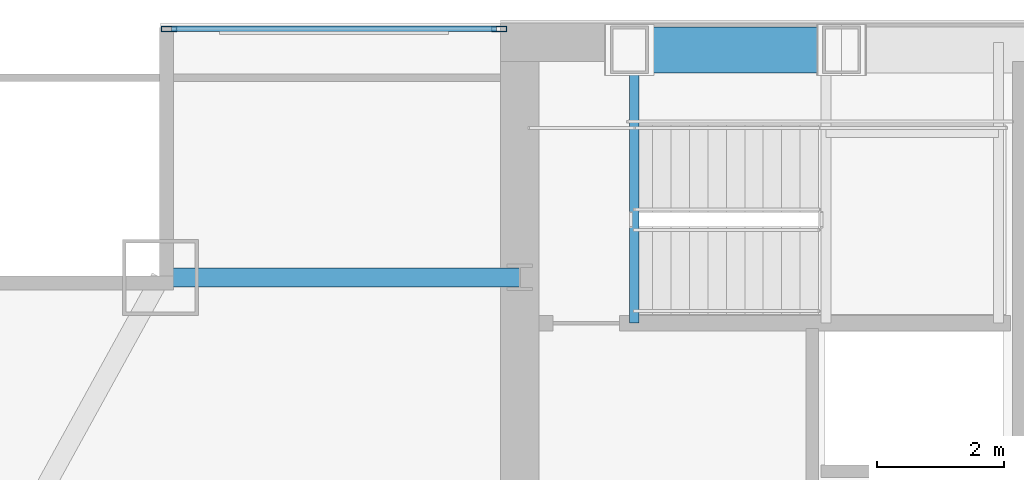
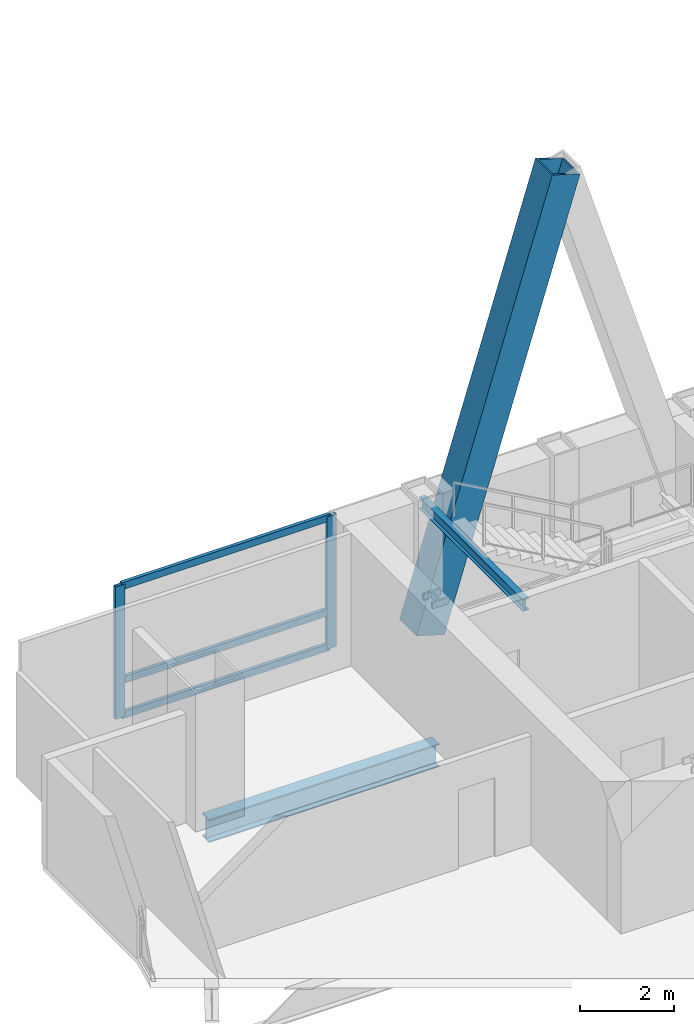
# One storey, part 23 of 33: 6 members, 2 beams, 1 element without a shape of its own.
"""IFC4 building model written with IfcOpenShell, lengths in metres."""

from ifc_helpers import new_model, si_unit, direction, frame, origin, origin_2d, place, context, subcontext, project, spatial, hollow_rectangle, i_section, extrude, material, material_profile, profile_set, type_object, element, aggregate, save


model = new_model("IFC4")

# Units and contexts
model_context = context("Model", 3, precision=1e-05, world=origin(), true_north=direction((0.0, 1.0)))
body_context = subcontext(model_context, "Body", "Model", "MODEL_VIEW")
ifc_project = project(units=[si_unit("LENGTHUNIT", "METRE"), si_unit("AREAUNIT", "SQUARE_METRE"), si_unit("VOLUMEUNIT", "CUBIC_METRE"), si_unit("PLANEANGLEUNIT", "RADIAN"), si_unit("MASSUNIT", "GRAM", prefix="KILO")], contexts=[model_context])

# Site, building, storey
site_placement = place(None, origin())
site = spatial("IfcSite", under=ifc_project, at=site_placement, CompositionType="ELEMENT")
building_placement = place(site_placement, origin())
building = spatial("IfcBuilding", under=site, at=building_placement, Name="Khoronbel Lancet Exchange", CompositionType="ELEMENT")
storey_placement = place(building_placement, frame((0.0, 0.0, 210.199951171875)))
storey = spatial("IfcBuildingStorey", under=building, at=storey_placement, Name="L53", CompositionType="ELEMENT", Elevation=210.199951171875)

# Beams
ifc_material_1 = material(Name="Steel S355", Category="steel")
ifc_material_profile_1 = material_profile(ifc_material_1, i_section(OverallWidth=0.14990234375, OverallDepth=0.300048828125, WebThickness=0.007080078125, FlangeThickness=0.0107421875, at=origin_2d()), Name="IPE 300")
ifc_profile_set_1 = profile_set([ifc_material_profile_1], Name="Steel S355")
beam_type_1 = type_object("IfcBeamType", Name="BM-BJ8", PredefinedType="JOIST", material=ifc_profile_set_1)
beam_1_placement = place(storey_placement, frame((18.300048828125, 48.97998046875, 3.16015625), z_axis=(0.0, 1.0, 0.0), x_axis=(-1.0, 0.0, 0.0)))
element("IfcBeam", 1, at=beam_1_placement, inside=storey, type_object=beam_type_1, Name="Level L53 stair ST1 upper-flight arrival trimmer beam", PredefinedType="JOIST", context=body_context, shape_type="SweptSolid", body=[
    extrude(i_section(OverallWidth=0.14990234375, OverallDepth=0.300048828125, WebThickness=0.007080078125, FlangeThickness=0.0107421875, at=origin_2d()), origin(), (0.0, 0.0, 1.0), 4.419921875),
])
ifc_material_profile_2 = material_profile(ifc_material_1, i_section(OverallWidth=0.300048828125, OverallDepth=0.60009765625, WebThickness=0.015380859375, FlangeThickness=0.030029296875, at=origin_2d()), Name="HEB 600")
ifc_profile_set_2 = profile_set([ifc_material_profile_2], Name="Steel S355")
beam_type_2 = type_object("IfcBeamType", Name="BM-BSP2", PredefinedType="SPANDREL", material=ifc_profile_set_2)
beam_2_placement = place(storey_placement, frame((10.85009765625, 49.699951171875, -0.4599609375), z_axis=(1.0, 0.0, 0.0), x_axis=(0.0, 1.0, 0.0)))
element("IfcBeam", 2, at=beam_2_placement, inside=storey, type_object=beam_type_2, Name="Level L53 north flank tie spandrel SP22", PredefinedType="SPANDREL", context=body_context, shape_type="SweptSolid", body=[
    extrude(i_section(OverallWidth=0.300048828125, OverallDepth=0.60009765625, WebThickness=0.015380859375, FlangeThickness=0.030029296875, at=origin_2d()), origin(), (0.0, 0.0, 1.0), 5.64990234375),
])

# Curtain wall, members
ifc_material_2 = material(Name="Low-E Solar Control Insulating Glass", Category="glass")
curtain_wall_type = type_object("IfcCurtainWallType", Name="CW-3", PredefinedType="NOTDEFINED", material=ifc_material_2)
curtain_wall_placement = place(storey_placement, origin())
curtain_wall = element("IfcCurtainWall", 3, at=curtain_wall_placement, inside=storey, type_object=curtain_wall_type, Name="Unitised curtain wall CW-L53-NWFLK", PredefinedType="NOTDEFINED")
ifc_material_3 = material(Name="Bronze-Anodised Aluminium 6063-T6", Category="aluminium")
ifc_material_profile_3 = material_profile(ifc_material_3, hollow_rectangle(XDim=0.0849609375, YDim=0.239990234375, WallThickness=0.006103515625, at=origin_2d()), Name="ALU MULLION 85x240")
ifc_profile_set_3 = profile_set([ifc_material_profile_3], Name="Bronze-Anodised Aluminium 6063-T6")
member_type_1 = type_object("IfcMemberType", Name="MEM-CWM1", PredefinedType="MULLION", material=ifc_profile_set_3)
member_1_placement = place(storey_placement, frame((16.177490234375, 53.610107421875, 0.0), z_axis=(0.0, 0.0, 1.0), x_axis=(0.0, -1.0, 0.0)))
member_1 = element("IfcMember", 4, at=member_1_placement, type_object=member_type_1, Name="CW3 mullion 1", PredefinedType="MULLION", context=body_context, shape_type="SweptSolid", body=[
    extrude(hollow_rectangle(XDim=0.0849609375, YDim=0.239990234375, WallThickness=0.006103515625, at=origin_2d()), origin(), (0.0, 0.0, 1.0), 3.43994140625),
])
member_2_placement = place(storey_placement, frame((10.982421875, 53.610107421875, 0.0), z_axis=(0.0, 0.0, 1.0), x_axis=(0.0, -1.0, 0.0)))
member_2 = element("IfcMember", 5, at=member_2_placement, type_object=member_type_1, Name="CW3 mullion 2", PredefinedType="MULLION", context=body_context, shape_type="SweptSolid", body=[
    extrude(hollow_rectangle(XDim=0.0849609375, YDim=0.239990234375, WallThickness=0.006103515625, at=origin_2d()), origin(), (0.0, 0.0, 1.0), 3.43994140625),
])
ifc_material_profile_4 = material_profile(ifc_material_3, hollow_rectangle(XDim=0.0849609375, YDim=0.179931640625, WallThickness=0.0048828125, at=origin_2d()), Name="ALU TRANSOM 85x180")
ifc_profile_set_4 = profile_set([ifc_material_profile_4], Name="Bronze-Anodised Aluminium 6063-T6")
member_type_2 = type_object("IfcMemberType", Name="MEM-CWT1", PredefinedType="USERDEFINED", material=ifc_profile_set_4)
member_3_placement = place(storey_placement, frame((16.135009765625, 53.610107421875, 0.04248046875), z_axis=(-1.0, 0.0, 0.0), x_axis=(0.0, -1.0, 0.0)))
member_3 = element("IfcMember", 6, at=member_3_placement, type_object=member_type_2, Name="CW3 transom 1.1", ObjectType="TRANSOM", PredefinedType="USERDEFINED", context=body_context, shape_type="SweptSolid", body=[
    extrude(hollow_rectangle(XDim=0.0849609375, YDim=0.179931640625, WallThickness=0.0048828125, at=origin_2d()), origin(), (0.0, 0.0, 1.0), 5.110107421875),
])
member_4_placement = place(storey_placement, frame((16.135009765625, 53.610107421875, 0.949951171875), z_axis=(-1.0, 0.0, 0.0), x_axis=(0.0, -1.0, 0.0)))
member_4 = element("IfcMember", 7, at=member_4_placement, type_object=member_type_2, Name="CW3 transom 1.2", ObjectType="TRANSOM", PredefinedType="USERDEFINED", context=body_context, shape_type="SweptSolid", body=[
    extrude(hollow_rectangle(XDim=0.0849609375, YDim=0.179931640625, WallThickness=0.0048828125, at=origin_2d()), origin(), (0.0, 0.0, 1.0), 5.110107421875),
])
member_5_placement = place(storey_placement, frame((16.135009765625, 53.610107421875, 3.3974609375), z_axis=(-1.0, 0.0, 0.0), x_axis=(0.0, -1.0, 0.0)))
member_5 = element("IfcMember", 8, at=member_5_placement, type_object=member_type_2, Name="CW3 transom 1.3", ObjectType="TRANSOM", PredefinedType="USERDEFINED", context=body_context, shape_type="SweptSolid", body=[
    extrude(hollow_rectangle(XDim=0.0849609375, YDim=0.179931640625, WallThickness=0.0048828125, at=origin_2d()), origin(), (0.0, 0.0, 1.0), 5.110107421875),
])
aggregate(curtain_wall, [member_1, member_2, member_3, member_4, member_5])

# Member
ifc_material_4 = material(Name="Steel S460", Category="steel")
ifc_material_profile_5 = material_profile(ifc_material_4, hollow_rectangle(XDim=0.719970703125, YDim=0.719970703125, WallThickness=0.050048828125, at=origin_2d()), Name="BOX 720x720x50")
ifc_profile_set_5 = profile_set([ifc_material_profile_5], Name="Steel S460")
member_type_3 = type_object("IfcMemberType", Name="MEM-MB2", PredefinedType="BRACE", material=ifc_profile_set_5)
member_6_placement = place(storey_placement, frame((18.22509765625, 53.280029296875, 0.0), z_axis=(0.295242108906, 0.0, 0.955422470496), x_axis=(0.0, 1.0, 0.0)))
element("IfcMember", 9, at=member_6_placement, inside=storey, type_object=member_type_3, Name="Perimeter lancet brace tier 18 N-W-L", PredefinedType="BRACE", context=body_context, shape_type="SweptSolid", body=[
    extrude(hollow_rectangle(XDim=0.719970703125, YDim=0.719970703125, WallThickness=0.050048828125, at=origin_2d()), origin(), (0.0, 0.0, 1.0), 11.303955078125),
])

save(model, "model.ifc")
